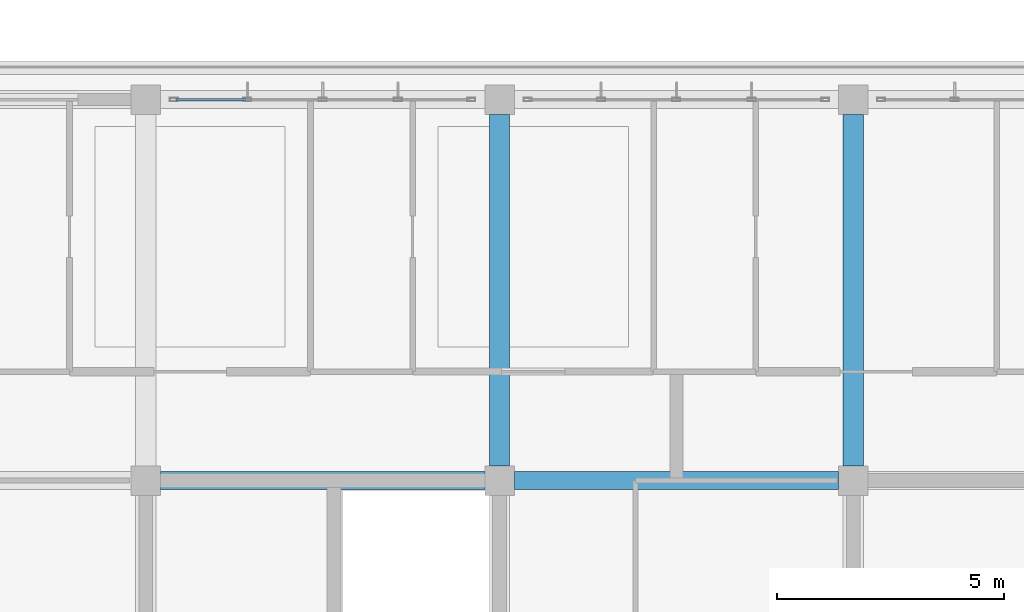
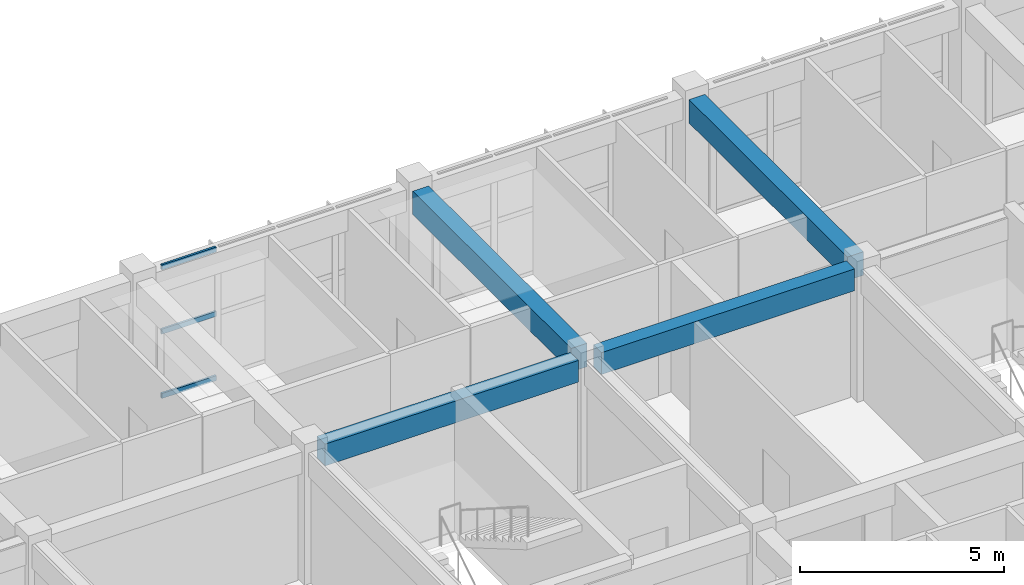
# One storey, part 19 of 63: 4 beams, 3 members, 1 element without a shape of its own.
"""IFC4 building model written with IfcOpenShell, lengths in metres."""

from ifc_helpers import new_model, si_unit, direction, frame, origin, origin_2d, place, context, subcontext, project, spatial, rectangle, hollow_rectangle, extrude, material, layer, layer_set, material_profile, profile_set, type_object, element, aggregate, save


model = new_model("IFC4")

# Units and contexts
model_context = context("Model", 3, precision=1e-05, world=origin(), true_north=direction((0.0, 1.0)))
body_context = subcontext(model_context, "Body", "Model", "MODEL_VIEW")
ifc_project = project(units=[si_unit("LENGTHUNIT", "METRE"), si_unit("AREAUNIT", "SQUARE_METRE"), si_unit("VOLUMEUNIT", "CUBIC_METRE"), si_unit("PLANEANGLEUNIT", "RADIAN"), si_unit("MASSUNIT", "GRAM", prefix="KILO")], contexts=[model_context])

# Site, building, storey
site_placement = place(None, origin())
site = spatial("IfcSite", under=ifc_project, at=site_placement, CompositionType="ELEMENT")
building_placement = place(site_placement, origin())
building = spatial("IfcBuilding", under=site, at=building_placement, Name="Zizhar Promenade General Hospital", CompositionType="ELEMENT")
storey_placement = place(building_placement, frame((0.0, 0.0, 18.0)))
storey = spatial("IfcBuildingStorey", under=building, at=storey_placement, Name="L04", CompositionType="ELEMENT", Elevation=18.0)

# Beams
ifc_material_1 = material(Name="Concrete C35/45", Category="concrete")
ifc_material_profile_1 = material_profile(ifc_material_1, rectangle(XDim=0.39990234375, YDim=0.64990234375, at=origin_2d()))
ifc_profile_set_1 = profile_set([ifc_material_profile_1], Name="Concrete C35/45")
beam_type_1 = type_object("IfcBeamType", Name="BM-RC-400x650", PredefinedType="BEAM", material=ifc_profile_set_1)
beam_1_placement = place(storey_placement, frame((62.72509765625, 16.800048828125, 3.5849609375), z_axis=(1.0, 0.0, 0.0), x_axis=(0.0, 1.0, 0.0)))
element("IfcBeam", 1, at=beam_1_placement, inside=storey, type_object=beam_type_1, Name="Grid Beam X L04 (8-2)", PredefinedType="BEAM", context=body_context, shape_type="SweptSolid", body=[
    extrude(rectangle(XDim=0.39990234375, YDim=0.64990234375, at=origin_2d()), origin(), (0.0, 0.0, 1.0), 7.14990234375),
])
beam_2_placement = place(storey_placement, frame((70.52490234375, 16.800048828125, 3.5849609375), z_axis=(1.0, 0.0, 0.0), x_axis=(0.0, 1.0, 0.0)))
element("IfcBeam", 2, at=beam_2_placement, inside=storey, type_object=beam_type_1, Name="Grid Beam X L04 (9-2)", PredefinedType="BEAM", context=body_context, shape_type="SweptSolid", body=[
    extrude(rectangle(XDim=0.39990234375, YDim=0.64990234375, at=origin_2d()), origin(), (0.0, 0.0, 1.0), 7.150146484375),
])
ifc_material_2 = material(Name="Concrete C35/45", Category="concrete")
ifc_material_profile_2 = material_profile(ifc_material_2, rectangle(XDim=0.449951171875, YDim=0.699951171875, at=origin_2d()))
ifc_profile_set_2 = profile_set([ifc_material_profile_2], Name="Concrete C35/45")
beam_type_2 = type_object("IfcBeamType", Name="BM-RC-450x700", PredefinedType="BEAM", material=ifc_profile_set_2)
for number, where, z_axis, x_axis, name in (
    (3, (70.199951171875, 17.125, 3.56005859375), (0.0, 1.0, 0.0), (-1.0, 0.0, 0.0), "Grid Beam Y L04 (9-2)"),
    (4, (78.0, 17.125, 3.56005859375), (0.0, 1.0, 0.0), (-1.0, 0.0, 0.0), "Grid Beam Y L04 (10-2)"),
):
    element("IfcBeam", number, at=place(storey_placement, frame(where, z_axis=z_axis, x_axis=x_axis)), inside=storey, type_object=beam_type_2, Name=name, PredefinedType="BEAM", context=body_context, shape_type="SweptSolid", body=[
        extrude(rectangle(XDim=0.449951171875, YDim=0.699951171875, at=origin_2d()), origin(), (0.0, 0.0, 1.0), 7.75),
    ])

# Curtain wall, members
ifc_material_3 = material(Name="Anodised aluminium 6063-T6 and low-E glass", Category="aluminium")
ifc_layer = layer(ifc_material_3, 0.159912109375)
ifc_layer_set = layer_set([ifc_layer], Name="Anodised aluminium 6063-T6 and low-E glass")
curtain_wall_type = type_object("IfcCurtainWallType", Name="CW-WARD-RIB", PredefinedType="NOTDEFINED", material=ifc_layer_set)
curtain_wall_placement = place(storey_placement, origin())
curtain_wall = element("IfcCurtainWall", 5, at=curtain_wall_placement, inside=storey, type_object=curtain_wall_type, Name="Ward Ribbon Curtain Wall L04-8-5", PredefinedType="NOTDEFINED")
ifc_material_4 = material(Name="Anodised aluminium 6063-T6", Category="aluminium")
ifc_material_profile_3 = material_profile(ifc_material_4, hollow_rectangle(XDim=0.06005859375, YDim=0.14990234375, WallThickness=0.00390625, at=origin_2d()))
ifc_profile_set_3 = profile_set([ifc_material_profile_3], Name="Anodised aluminium 6063-T6")
member_type = type_object("IfcMemberType", Name="CWT-ALU-150x60", PredefinedType="USERDEFINED", material=ifc_profile_set_3)
member_1_placement = place(storey_placement, frame((63.06005859375, 25.199951171875, 0.030029296875), z_axis=(1.0, 0.0, 0.0), x_axis=(0.0, 1.0, 0.0)))
member_1 = element("IfcMember", 6, at=member_1_placement, type_object=member_type, Name="CW-13 transom 1.1", ObjectType="TRANSOM", PredefinedType="USERDEFINED", context=body_context, shape_type="SweptSolid", body=[
    extrude(hollow_rectangle(XDim=0.06005859375, YDim=0.14990234375, WallThickness=0.00390625, at=origin_2d()), origin(), (0.0, 0.0, 1.0), 1.5400390625),
])
member_2_placement = place(storey_placement, frame((63.06005859375, 25.199951171875, 1.949951171875), z_axis=(1.0, 0.0, 0.0), x_axis=(0.0, 1.0, 0.0)))
member_2 = element("IfcMember", 7, at=member_2_placement, type_object=member_type, Name="CW-13 transom 1.2", ObjectType="TRANSOM", PredefinedType="USERDEFINED", context=body_context, shape_type="SweptSolid", body=[
    extrude(hollow_rectangle(XDim=0.06005859375, YDim=0.14990234375, WallThickness=0.00390625, at=origin_2d()), origin(), (0.0, 0.0, 1.0), 1.5400390625),
])
member_3_placement = place(storey_placement, frame((63.06005859375, 25.199951171875, 3.8701171875), z_axis=(1.0, 0.0, 0.0), x_axis=(0.0, 1.0, 0.0)))
member_3 = element("IfcMember", 8, at=member_3_placement, type_object=member_type, Name="CW-13 transom 1.3", ObjectType="TRANSOM", PredefinedType="USERDEFINED", context=body_context, shape_type="SweptSolid", body=[
    extrude(hollow_rectangle(XDim=0.06005859375, YDim=0.14990234375, WallThickness=0.00390625, at=origin_2d()), origin(), (0.0, 0.0, 1.0), 1.5400390625),
])
aggregate(curtain_wall, [member_1, member_2, member_3])

save(model, "model.ifc")
